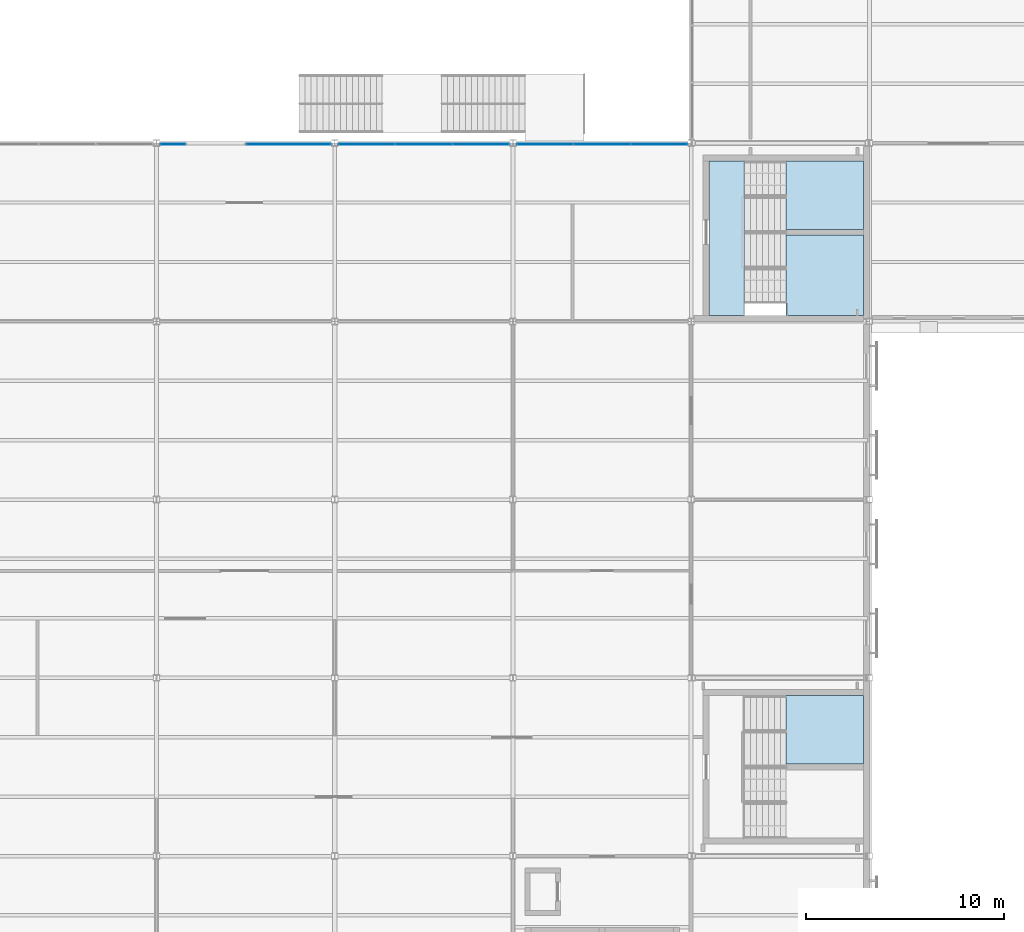
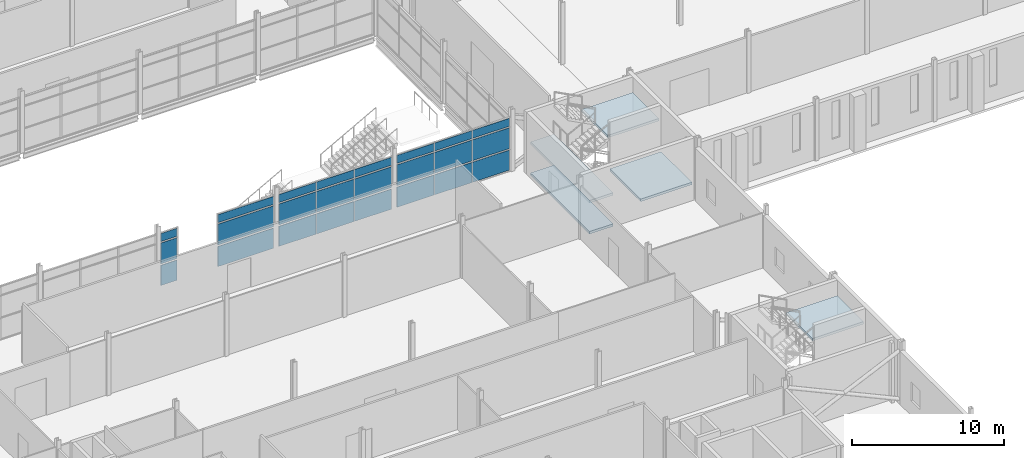
# One storey, part 68 of 112: 24 plates, 5 slabs, 6 elements without a shape of their own.
"""IFC4 building model written with IfcOpenShell, lengths in metres."""

from ifc_helpers import new_model, si_unit, direction, frame, origin, origin_2d, place, context, subcontext, project, spatial, polyline, rectangle, outline, extrude, material, layer, layer_set, type_object, element, aggregate, save


model = new_model("IFC4")

# Units and contexts
model_context = context("Model", 3, precision=1e-05, world=origin(), true_north=direction((0.0, 1.0)))
body_context = subcontext(model_context, "Body", "Model", "MODEL_VIEW")
ifc_project = project(units=[si_unit("LENGTHUNIT", "METRE"), si_unit("AREAUNIT", "SQUARE_METRE"), si_unit("VOLUMEUNIT", "CUBIC_METRE"), si_unit("PLANEANGLEUNIT", "RADIAN"), si_unit("MASSUNIT", "GRAM", prefix="KILO")], contexts=[model_context])

# Site, building, storey
site_placement = place(None, origin())
site = spatial("IfcSite", under=ifc_project, at=site_placement, CompositionType="ELEMENT")
building_placement = place(site_placement, origin())
building = spatial("IfcBuilding", under=site, at=building_placement, Name="Shorebreak Coast Museum", CompositionType="ELEMENT")
storey_placement = place(building_placement, frame((0.0, 0.0, 6.0)))
storey = spatial("IfcBuildingStorey", under=building, at=storey_placement, Name="L01", CompositionType="ELEMENT", Elevation=6.0)

# Curtain wall, plates
ifc_material_1 = material(Name="Aluminium", Category="aluminium")
ifc_layer_1 = layer(ifc_material_1, 0.1201171875)
ifc_layer_set_1 = layer_set([ifc_layer_1], Name="Aluminium")
curtain_wall_type = type_object("IfcCurtainWallType", Name="Atrium fire screen", PredefinedType="NOTDEFINED", material=ifc_layer_set_1)
curtain_wall_1_placement = place(storey_placement, origin())
curtain_wall_1 = element("IfcCurtainWall", 1, at=curtain_wall_1_placement, inside=storey, type_object=curtain_wall_type, Name="Atrium screen L01 S 3", PredefinedType="NOTDEFINED")
ifc_material_2 = material(Name="Glass", Category="glass")
ifc_layer_2 = layer(ifc_material_2, 0.034912109375)
ifc_layer_set_2 = layer_set([ifc_layer_2], Name="Glass")
plate_type = type_object("IfcPlateType", Name="Fire-resisting glass panel 35", PredefinedType="CURTAIN_PANEL", material=ifc_layer_set_2)
plate_1_placement = place(storey_placement, frame((81.82763671875, 62.93994140625, 0.119873046875), z_axis=(0.0, 0.0, 1.0), x_axis=(1.0, 0.0, 0.0)))
plate_1 = element("IfcPlate", 2, at=plate_1_placement, type_object=plate_type, Name="CW4 panel 1.1", PredefinedType="CURTAIN_PANEL", context=body_context, shape_type="SweptSolid", body=[
    extrude(rectangle(XDim=1.244384765625, YDim=0.034912109375, at=origin_2d()), origin(), (0.0, 0.0, 1.0), 1.6201171875),
])
plate_2_placement = place(storey_placement, frame((81.82763671875, 62.93994140625, 1.85986328125), z_axis=(0.0, 0.0, 1.0), x_axis=(1.0, 0.0, 0.0)))
plate_2 = element("IfcPlate", 3, at=plate_2_placement, type_object=plate_type, Name="CW4 panel 1.2", PredefinedType="CURTAIN_PANEL", context=body_context, shape_type="SweptSolid", body=[
    extrude(rectangle(XDim=1.244384765625, YDim=0.034912109375, at=origin_2d()), origin(), (0.0, 0.0, 1.0), 1.679931640625),
])
plate_3_placement = place(storey_placement, frame((81.82763671875, 62.93994140625, 3.66015625), z_axis=(0.0, 0.0, 1.0), x_axis=(1.0, 0.0, 0.0)))
plate_3 = element("IfcPlate", 4, at=plate_3_placement, type_object=plate_type, Name="CW4 panel 1.3", PredefinedType="CURTAIN_PANEL", context=body_context, shape_type="SweptSolid", body=[
    extrude(rectangle(XDim=1.244384765625, YDim=0.034912109375, at=origin_2d()), origin(), (0.0, 0.0, 1.0), 0.642333984375),
])
aggregate(curtain_wall_1, [plate_1, plate_2, plate_3])

curtain_wall_2_placement = place(storey_placement, origin())
curtain_wall_2 = element("IfcCurtainWall", 5, at=curtain_wall_2_placement, inside=storey, type_object=curtain_wall_type, Name="Atrium screen L01 S 4", PredefinedType="NOTDEFINED")
plate_4_placement = place(storey_placement, frame((87.67236328125, 62.93994140625, 0.119873046875), z_axis=(0.0, 0.0, 1.0), x_axis=(1.0, 0.0, 0.0)))
plate_4 = element("IfcPlate", 6, at=plate_4_placement, type_object=plate_type, Name="CW5 panel 1.1", PredefinedType="CURTAIN_PANEL", context=body_context, shape_type="SweptSolid", body=[
    extrude(rectangle(XDim=4.244384765625, YDim=0.034912109375, at=origin_2d()), origin(), (0.0, 0.0, 1.0), 1.6201171875),
])
plate_5_placement = place(storey_placement, frame((87.67236328125, 62.93994140625, 1.85986328125), z_axis=(0.0, 0.0, 1.0), x_axis=(1.0, 0.0, 0.0)))
plate_5 = element("IfcPlate", 7, at=plate_5_placement, type_object=plate_type, Name="CW5 panel 1.2", PredefinedType="CURTAIN_PANEL", context=body_context, shape_type="SweptSolid", body=[
    extrude(rectangle(XDim=4.244384765625, YDim=0.034912109375, at=origin_2d()), origin(), (0.0, 0.0, 1.0), 1.679931640625),
])
plate_6_placement = place(storey_placement, frame((87.67236328125, 62.93994140625, 3.66015625), z_axis=(0.0, 0.0, 1.0), x_axis=(1.0, 0.0, 0.0)))
plate_6 = element("IfcPlate", 8, at=plate_6_placement, type_object=plate_type, Name="CW5 panel 1.3", PredefinedType="CURTAIN_PANEL", context=body_context, shape_type="SweptSolid", body=[
    extrude(rectangle(XDim=4.244384765625, YDim=0.034912109375, at=origin_2d()), origin(), (0.0, 0.0, 1.0), 0.642333984375),
])
aggregate(curtain_wall_2, [plate_4, plate_5, plate_6])

curtain_wall_3_placement = place(storey_placement, origin())
curtain_wall_3 = element("IfcCurtainWall", 9, at=curtain_wall_3_placement, inside=storey, type_object=curtain_wall_type, Name="Atrium screen L01 S 5", PredefinedType="NOTDEFINED")
plate_7_placement = place(storey_placement, frame((91.6162109375, 62.93994140625, 0.119873046875), z_axis=(0.0, 0.0, 1.0), x_axis=(1.0, 0.0, 0.0)))
plate_7 = element("IfcPlate", 10, at=plate_7_placement, type_object=plate_type, Name="CW6 panel 1.1", PredefinedType="CURTAIN_PANEL", context=body_context, shape_type="SweptSolid", body=[
    extrude(rectangle(XDim=2.8212890625, YDim=0.034912109375, at=origin_2d()), origin(), (0.0, 0.0, 1.0), 1.6201171875),
])
plate_8_placement = place(storey_placement, frame((91.6162109375, 62.93994140625, 1.85986328125), z_axis=(0.0, 0.0, 1.0), x_axis=(1.0, 0.0, 0.0)))
plate_8 = element("IfcPlate", 11, at=plate_8_placement, type_object=plate_type, Name="CW6 panel 1.2", PredefinedType="CURTAIN_PANEL", context=body_context, shape_type="SweptSolid", body=[
    extrude(rectangle(XDim=2.8212890625, YDim=0.034912109375, at=origin_2d()), origin(), (0.0, 0.0, 1.0), 1.679931640625),
])
plate_9_placement = place(storey_placement, frame((91.6162109375, 62.93994140625, 3.66015625), z_axis=(0.0, 0.0, 1.0), x_axis=(1.0, 0.0, 0.0)))
plate_9 = element("IfcPlate", 12, at=plate_9_placement, type_object=plate_type, Name="CW6 panel 1.3", PredefinedType="CURTAIN_PANEL", context=body_context, shape_type="SweptSolid", body=[
    extrude(rectangle(XDim=2.8212890625, YDim=0.034912109375, at=origin_2d()), origin(), (0.0, 0.0, 1.0), 0.642333984375),
])
plate_10_placement = place(storey_placement, frame((94.5, 62.93994140625, 0.119873046875), z_axis=(0.0, 0.0, 1.0), x_axis=(1.0, 0.0, 0.0)))
plate_10 = element("IfcPlate", 13, at=plate_10_placement, type_object=plate_type, Name="CW6 panel 2.1", PredefinedType="CURTAIN_PANEL", context=body_context, shape_type="SweptSolid", body=[
    extrude(rectangle(XDim=2.846435546875, YDim=0.034912109375, at=origin_2d()), origin(), (0.0, 0.0, 1.0), 1.6201171875),
])
plate_11_placement = place(storey_placement, frame((94.5, 62.93994140625, 1.85986328125), z_axis=(0.0, 0.0, 1.0), x_axis=(1.0, 0.0, 0.0)))
plate_11 = element("IfcPlate", 14, at=plate_11_placement, type_object=plate_type, Name="CW6 panel 2.2", PredefinedType="CURTAIN_PANEL", context=body_context, shape_type="SweptSolid", body=[
    extrude(rectangle(XDim=2.846435546875, YDim=0.034912109375, at=origin_2d()), origin(), (0.0, 0.0, 1.0), 1.679931640625),
])
plate_12_placement = place(storey_placement, frame((94.5, 62.93994140625, 3.66015625), z_axis=(0.0, 0.0, 1.0), x_axis=(1.0, 0.0, 0.0)))
plate_12 = element("IfcPlate", 15, at=plate_12_placement, type_object=plate_type, Name="CW6 panel 2.3", PredefinedType="CURTAIN_PANEL", context=body_context, shape_type="SweptSolid", body=[
    extrude(rectangle(XDim=2.846435546875, YDim=0.034912109375, at=origin_2d()), origin(), (0.0, 0.0, 1.0), 0.642333984375),
])
plate_13_placement = place(storey_placement, frame((97.3837890625, 62.93994140625, 0.119873046875), z_axis=(0.0, 0.0, 1.0), x_axis=(1.0, 0.0, 0.0)))
plate_13 = element("IfcPlate", 16, at=plate_13_placement, type_object=plate_type, Name="CW6 panel 3.1", PredefinedType="CURTAIN_PANEL", context=body_context, shape_type="SweptSolid", body=[
    extrude(rectangle(XDim=2.8212890625, YDim=0.034912109375, at=origin_2d()), origin(), (0.0, 0.0, 1.0), 1.6201171875),
])
plate_14_placement = place(storey_placement, frame((97.3837890625, 62.93994140625, 1.85986328125), z_axis=(0.0, 0.0, 1.0), x_axis=(1.0, 0.0, 0.0)))
plate_14 = element("IfcPlate", 17, at=plate_14_placement, type_object=plate_type, Name="CW6 panel 3.2", PredefinedType="CURTAIN_PANEL", context=body_context, shape_type="SweptSolid", body=[
    extrude(rectangle(XDim=2.8212890625, YDim=0.034912109375, at=origin_2d()), origin(), (0.0, 0.0, 1.0), 1.679931640625),
])
plate_15_placement = place(storey_placement, frame((97.3837890625, 62.93994140625, 3.66015625), z_axis=(0.0, 0.0, 1.0), x_axis=(1.0, 0.0, 0.0)))
plate_15 = element("IfcPlate", 18, at=plate_15_placement, type_object=plate_type, Name="CW6 panel 3.3", PredefinedType="CURTAIN_PANEL", context=body_context, shape_type="SweptSolid", body=[
    extrude(rectangle(XDim=2.8212890625, YDim=0.034912109375, at=origin_2d()), origin(), (0.0, 0.0, 1.0), 0.642333984375),
])
aggregate(curtain_wall_3, [plate_7, plate_8, plate_9, plate_10, plate_11, plate_12, plate_13, plate_14, plate_15])

curtain_wall_4_placement = place(storey_placement, origin())
curtain_wall_4 = element("IfcCurtainWall", 19, at=curtain_wall_4_placement, inside=storey, type_object=curtain_wall_type, Name="Atrium screen L01 S 6", PredefinedType="NOTDEFINED")
plate_16_placement = place(storey_placement, frame((100.6162109375, 62.93994140625, 0.119873046875), z_axis=(0.0, 0.0, 1.0), x_axis=(1.0, 0.0, 0.0)))
plate_16 = element("IfcPlate", 20, at=plate_16_placement, type_object=plate_type, Name="CW4 panel 1.1", PredefinedType="CURTAIN_PANEL", context=body_context, shape_type="SweptSolid", body=[
    extrude(rectangle(XDim=2.8212890625, YDim=0.034912109375, at=origin_2d()), origin(), (0.0, 0.0, 1.0), 1.6201171875),
])
plate_17_placement = place(storey_placement, frame((100.6162109375, 62.93994140625, 1.85986328125), z_axis=(0.0, 0.0, 1.0), x_axis=(1.0, 0.0, 0.0)))
plate_17 = element("IfcPlate", 21, at=plate_17_placement, type_object=plate_type, Name="CW4 panel 1.2", PredefinedType="CURTAIN_PANEL", context=body_context, shape_type="SweptSolid", body=[
    extrude(rectangle(XDim=2.8212890625, YDim=0.034912109375, at=origin_2d()), origin(), (0.0, 0.0, 1.0), 1.679931640625),
])
plate_18_placement = place(storey_placement, frame((100.6162109375, 62.93994140625, 3.66015625), z_axis=(0.0, 0.0, 1.0), x_axis=(1.0, 0.0, 0.0)))
plate_18 = element("IfcPlate", 22, at=plate_18_placement, type_object=plate_type, Name="CW4 panel 1.3", PredefinedType="CURTAIN_PANEL", context=body_context, shape_type="SweptSolid", body=[
    extrude(rectangle(XDim=2.8212890625, YDim=0.034912109375, at=origin_2d()), origin(), (0.0, 0.0, 1.0), 0.642333984375),
])
plate_19_placement = place(storey_placement, frame((103.5, 62.93994140625, 0.119873046875), z_axis=(0.0, 0.0, 1.0), x_axis=(1.0, 0.0, 0.0)))
plate_19 = element("IfcPlate", 23, at=plate_19_placement, type_object=plate_type, Name="CW4 panel 2.1", PredefinedType="CURTAIN_PANEL", context=body_context, shape_type="SweptSolid", body=[
    extrude(rectangle(XDim=2.846435546875, YDim=0.034912109375, at=origin_2d()), origin(), (0.0, 0.0, 1.0), 1.6201171875),
])
plate_20_placement = place(storey_placement, frame((103.5, 62.93994140625, 1.85986328125), z_axis=(0.0, 0.0, 1.0), x_axis=(1.0, 0.0, 0.0)))
plate_20 = element("IfcPlate", 24, at=plate_20_placement, type_object=plate_type, Name="CW4 panel 2.2", PredefinedType="CURTAIN_PANEL", context=body_context, shape_type="SweptSolid", body=[
    extrude(rectangle(XDim=2.846435546875, YDim=0.034912109375, at=origin_2d()), origin(), (0.0, 0.0, 1.0), 1.679931640625),
])
plate_21_placement = place(storey_placement, frame((103.5, 62.93994140625, 3.66015625), z_axis=(0.0, 0.0, 1.0), x_axis=(1.0, 0.0, 0.0)))
plate_21 = element("IfcPlate", 25, at=plate_21_placement, type_object=plate_type, Name="CW4 panel 2.3", PredefinedType="CURTAIN_PANEL", context=body_context, shape_type="SweptSolid", body=[
    extrude(rectangle(XDim=2.846435546875, YDim=0.034912109375, at=origin_2d()), origin(), (0.0, 0.0, 1.0), 0.642333984375),
])
plate_22_placement = place(storey_placement, frame((106.3837890625, 62.93994140625, 0.119873046875), z_axis=(0.0, 0.0, 1.0), x_axis=(1.0, 0.0, 0.0)))
plate_22 = element("IfcPlate", 26, at=plate_22_placement, type_object=plate_type, Name="CW4 panel 3.1", PredefinedType="CURTAIN_PANEL", context=body_context, shape_type="SweptSolid", body=[
    extrude(rectangle(XDim=2.8212890625, YDim=0.034912109375, at=origin_2d()), origin(), (0.0, 0.0, 1.0), 1.6201171875),
])
plate_23_placement = place(storey_placement, frame((106.3837890625, 62.93994140625, 1.85986328125), z_axis=(0.0, 0.0, 1.0), x_axis=(1.0, 0.0, 0.0)))
plate_23 = element("IfcPlate", 27, at=plate_23_placement, type_object=plate_type, Name="CW4 panel 3.2", PredefinedType="CURTAIN_PANEL", context=body_context, shape_type="SweptSolid", body=[
    extrude(rectangle(XDim=2.8212890625, YDim=0.034912109375, at=origin_2d()), origin(), (0.0, 0.0, 1.0), 1.679931640625),
])
plate_24_placement = place(storey_placement, frame((106.3837890625, 62.93994140625, 3.66015625), z_axis=(0.0, 0.0, 1.0), x_axis=(1.0, 0.0, 0.0)))
plate_24 = element("IfcPlate", 28, at=plate_24_placement, type_object=plate_type, Name="CW4 panel 3.3", PredefinedType="CURTAIN_PANEL", context=body_context, shape_type="SweptSolid", body=[
    extrude(rectangle(XDim=2.8212890625, YDim=0.034912109375, at=origin_2d()), origin(), (0.0, 0.0, 1.0), 0.642333984375),
])
aggregate(curtain_wall_4, [plate_16, plate_17, plate_18, plate_19, plate_20, plate_21, plate_22, plate_23, plate_24])

# Stair, slabs
ifc_material_3 = material(Name="Concrete N40 (40 MPa)", Category="concrete")
stair_type = type_object("IfcStairType", Name="Stair run 5 m", PredefinedType="DOUBLE_RETURN_STAIR", material=ifc_material_3)
stair_1_placement = place(storey_placement, origin())
stair_1 = element("IfcStair", 29, at=stair_1_placement, inside=storey, type_object=stair_type, Name="Exit stair ST02-L01", PredefinedType="DOUBLE_RETURN_STAIR")
ifc_material_4 = material(Name="Concrete N40 (40 MPa)", Category="concrete")
ifc_layer_3 = layer(ifc_material_4, 0.199951171875)
ifc_layer_set_3 = layer_set([ifc_layer_3], Name="Concrete N40 (40 MPa)")
slab_type = type_object("IfcSlabType", Name="Stair landing 200", PredefinedType="LANDING", material=ifc_layer_set_3)
slab_1_placement = place(storey_placement, frame((0.0, 0.0, -0.199951171875)))
slab_1 = element("IfcSlab", 30, at=slab_1_placement, type_object=slab_type, Name="ST02-L01 landing 1", PredefinedType="LANDING", context=body_context, shape_type="SweptSolid", body=[
    extrude(outline(polyline([(108.89990234375, 54.300048828125), (110.699951171875, 54.300048828125), (110.699951171875, 62.10009765625), (108.89990234375, 62.10009765625), (108.89990234375, 54.300048828125)])), origin(), (0.0, 0.0, 1.0), 0.199951171875),
])
slab_2_placement = place(storey_placement, frame((0.0, 0.0, 2.300048828125)))
slab_2 = element("IfcSlab", 31, at=slab_2_placement, type_object=slab_type, Name="ST02-L01 landing 2", PredefinedType="LANDING", context=body_context, shape_type="SweptSolid", body=[
    extrude(outline(polyline([(108.89990234375, 54.300048828125), (110.699951171875, 54.300048828125), (110.699951171875, 62.10009765625), (108.89990234375, 62.10009765625), (108.89990234375, 54.300048828125)])), origin(), (0.0, 0.0, 1.0), 0.199951171875),
])
slab_3_placement = place(storey_placement, frame((0.0, 0.0, 1.050048828125)))
slab_3 = element("IfcSlab", 32, at=slab_3_placement, type_object=slab_type, Name="ST02-L01 landing 3", PredefinedType="LANDING", context=body_context, shape_type="SweptSolid", body=[
    extrude(outline(polyline([(112.800048828125, 54.300048828125), (116.699951171875, 54.300048828125), (116.699951171875, 58.35009765625), (112.800048828125, 58.35009765625), (112.800048828125, 54.300048828125)])), origin(), (0.0, 0.0, 1.0), 0.199951171875),
])
slab_4_placement = place(storey_placement, frame((0.0, 0.0, 3.550048828125)))
slab_4 = element("IfcSlab", 33, at=slab_4_placement, type_object=slab_type, Name="ST02-L01 landing 4", PredefinedType="LANDING", context=body_context, shape_type="SweptSolid", body=[
    extrude(outline(polyline([(112.800048828125, 58.64990234375), (116.699951171875, 58.64990234375), (116.699951171875, 62.10009765625), (112.800048828125, 62.10009765625), (112.800048828125, 58.64990234375)])), origin(), (0.0, 0.0, 1.0), 0.199951171875),
])
aggregate(stair_1, [slab_1, slab_2, slab_3, slab_4])

# Stair, slab
stair_2_placement = place(storey_placement, origin())
stair_2 = element("IfcStair", 34, at=stair_2_placement, inside=storey, type_object=stair_type, Name="Exit stair ST14-L01", PredefinedType="DOUBLE_RETURN_STAIR")
slab_5_placement = place(storey_placement, frame((0.0, 0.0, 3.550048828125)))
slab_5 = element("IfcSlab", 35, at=slab_5_placement, type_object=slab_type, Name="ST14-L01 landing 4", PredefinedType="LANDING", context=body_context, shape_type="SweptSolid", body=[
    extrude(outline(polyline([(112.800048828125, 31.64990234375), (116.699951171875, 31.64990234375), (116.699951171875, 35.10009765625), (112.800048828125, 35.10009765625), (112.800048828125, 31.64990234375)])), origin(), (0.0, 0.0, 1.0), 0.199951171875),
])
aggregate(stair_2, [slab_5])

save(model, "model.ifc")
